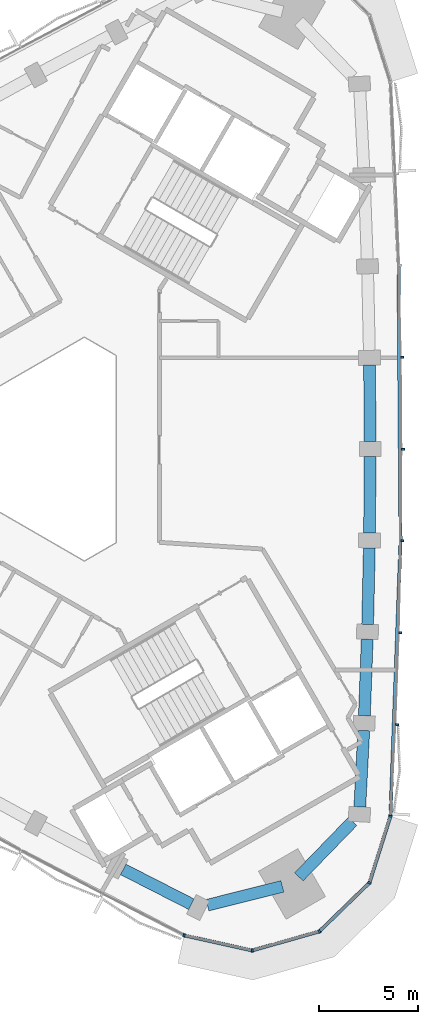
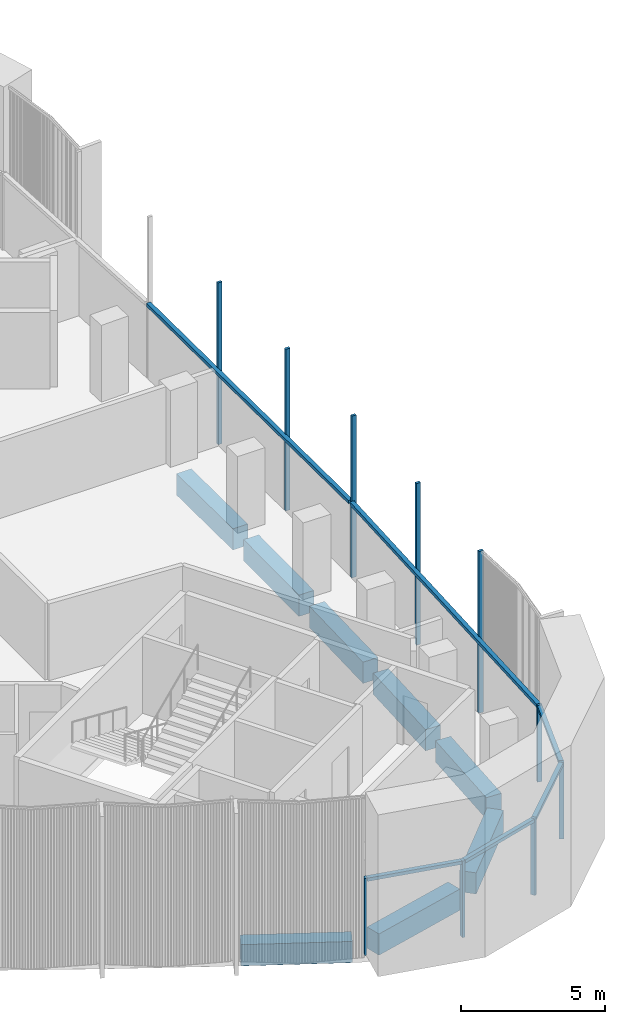
# One storey, part 4 of 14: 16 members, 8 beams, 2 elements without a shape of their own.
"""IFC4 building model written with IfcOpenShell, lengths in metres."""

from ifc_helpers import new_model, si_unit, direction, frame, origin, origin_2d, place, context, subcontext, project, spatial, rectangle, extrude, material, material_profile, profile_set, type_object, element, aggregate, save


model = new_model("IFC4")

# Units and contexts
model_context = context("Model", 3, precision=1e-05, world=origin(), true_north=direction((0.0, 1.0)))
body_context = subcontext(model_context, "Body", "Model", "MODEL_VIEW")
ifc_project = project(units=[si_unit("LENGTHUNIT", "METRE"), si_unit("AREAUNIT", "SQUARE_METRE"), si_unit("VOLUMEUNIT", "CUBIC_METRE"), si_unit("PLANEANGLEUNIT", "RADIAN"), si_unit("MASSUNIT", "GRAM", prefix="KILO")], contexts=[model_context])

# Site, building, storey
site_placement = place(None, origin())
site = spatial("IfcSite", under=ifc_project, at=site_placement, CompositionType="ELEMENT")
building_placement = place(site_placement, origin())
building = spatial("IfcBuilding", under=site, at=building_placement, Name="Tamra Quay Hotel Tower", CompositionType="ELEMENT")
storey_placement = place(building_placement, frame((0.0, 0.0, 221.39990234375)))
storey = spatial("IfcBuildingStorey", under=building, at=storey_placement, Name="L55", CompositionType="ELEMENT", Elevation=221.39990234375)

# Curtain wall, members
ifc_material_1 = material(Name="Aluminium 6063 anodised dark grey", Category="aluminium")
curtain_wall_type_1 = type_object("IfcCurtainWallType", Name="CW1 CURTAIN WALL", PredefinedType="NOTDEFINED", material=ifc_material_1)
curtain_wall_1_placement = place(storey_placement, origin())
curtain_wall_1 = element("IfcCurtainWall", 1, at=curtain_wall_1_placement, inside=storey, type_object=curtain_wall_type_1, Name="CW1 east face L55", PredefinedType="NOTDEFINED")
ifc_material_profile_1 = material_profile(ifc_material_1, rectangle(XDim=0.169921875, YDim=0.10009765625, at=origin_2d()), Name="MULLION 100X170")
ifc_profile_set_1 = profile_set([ifc_material_profile_1], Name="Aluminium 6063 anodised dark grey")
member_type_1 = type_object("IfcMemberType", Name="MULLION CW1 Z5", PredefinedType="MULLION", material=ifc_profile_set_1)
member_1_placement = place(storey_placement, frame((17.69677734375, -18.5830078125, 0.0), z_axis=(0.0, 0.0, 1.0), x_axis=(0.984105321789, -0.177585797933, 0.0)))
member_1 = element("IfcMember", 2, at=member_1_placement, type_object=member_type_1, Name="CW1 mullion L55.E.1", PredefinedType="MULLION", context=body_context, shape_type="SweptSolid", body=[
    extrude(rectangle(XDim=0.169921875, YDim=0.10009765625, at=origin_2d()), origin(), (0.0, 0.0, 1.0), 3.25),
])
member_2_placement = place(storey_placement, frame((18.020751953125, -13.944580078125, 0.0), z_axis=(0.0, 0.0, 1.0), x_axis=(0.999028216264, -0.044075198344, 0.0)))
member_2 = element("IfcMember", 3, at=member_2_placement, type_object=member_type_1, Name="CW1 mullion L55.E.2", PredefinedType="MULLION", context=body_context, shape_type="SweptSolid", body=[
    extrude(rectangle(XDim=0.169921875, YDim=0.10009765625, at=origin_2d()), origin(), (0.0, 0.0, 1.0), 6.85009765625),
])
member_3_placement = place(storey_placement, frame((18.191650390625, -9.2978515625, 0.0), z_axis=(0.0, 0.0, 1.0), x_axis=(0.999567592353, -0.029404562872, 0.0)))
member_3 = element("IfcMember", 4, at=member_3_placement, type_object=member_type_1, Name="CW1 mullion L55.E.3", PredefinedType="MULLION", context=body_context, shape_type="SweptSolid", body=[
    extrude(rectangle(XDim=0.169921875, YDim=0.10009765625, at=origin_2d()), origin(), (0.0, 0.0, 1.0), 6.85009765625),
])
member_4_placement = place(storey_placement, frame((18.294189453125, -4.64990234375, 0.0), z_axis=(0.0, 0.0, 1.0), x_axis=(0.999891761693, -0.014712746134, 0.0)))
member_4 = element("IfcMember", 5, at=member_4_placement, type_object=member_type_1, Name="CW1 mullion L55.E.4", PredefinedType="MULLION", context=body_context, shape_type="SweptSolid", body=[
    extrude(rectangle(XDim=0.169921875, YDim=0.10009765625, at=origin_2d()), origin(), (0.0, 0.0, 1.0), 6.85009765625),
])
member_5_placement = place(storey_placement, frame((18.328369140625, 0.0, 0.0), z_axis=(0.0, 0.0, 1.0), x_axis=(1.0, 0.0, 0.0)))
member_5 = element("IfcMember", 6, at=member_5_placement, type_object=member_type_1, Name="CW1 mullion L55.E.5", PredefinedType="MULLION", context=body_context, shape_type="SweptSolid", body=[
    extrude(rectangle(XDim=0.169921875, YDim=0.10009765625, at=origin_2d()), origin(), (0.0, 0.0, 1.0), 6.85009765625),
])
member_6_placement = place(storey_placement, frame((18.294189453125, 4.64990234375, 0.0), z_axis=(0.0, 0.0, 1.0), x_axis=(0.999891761693, 0.014712746134, 0.0)))
member_6 = element("IfcMember", 7, at=member_6_placement, type_object=member_type_1, Name="CW1 mullion L55.E.6", PredefinedType="MULLION", context=body_context, shape_type="SweptSolid", body=[
    extrude(rectangle(XDim=0.169921875, YDim=0.10009765625, at=origin_2d()), origin(), (0.0, 0.0, 1.0), 6.85009765625),
])

curtain_wall_type_2 = type_object("IfcCurtainWallType", Name="CW3 CURTAIN WALL", PredefinedType="NOTDEFINED", material=ifc_material_1)
curtain_wall_2_placement = place(storey_placement, origin())
curtain_wall_2 = element("IfcCurtainWall", 8, at=curtain_wall_2_placement, inside=storey, type_object=curtain_wall_type_2, Name="CW3 south-west face L55", PredefinedType="NOTDEFINED")
ifc_material_profile_2 = material_profile(ifc_material_1, rectangle(XDim=0.169921875, YDim=0.10009765625, at=origin_2d()), Name="MULLION 100X170")
ifc_profile_set_2 = profile_set([ifc_material_profile_2], Name="Aluminium 6063 anodised dark grey")
member_type_2 = type_object("IfcMemberType", Name="MULLION CW3 Z5", PredefinedType="MULLION", material=ifc_profile_set_2)
member_7_placement = place(storey_placement, frame((7.244873046875, -24.617431640625, 0.0), z_axis=(0.0, 0.0, 1.0), x_axis=(-0.338258848533, -0.941053107635, 0.0)))
member_7 = element("IfcMember", 9, at=member_7_placement, type_object=member_type_2, Name="CW3 mullion L55.SW.9", PredefinedType="MULLION", context=body_context, shape_type="SweptSolid", body=[
    extrude(rectangle(XDim=0.169921875, YDim=0.10009765625, at=origin_2d()), origin(), (0.0, 0.0, 1.0), 3.25),
])
member_8_placement = place(storey_placement, frame((10.6962890625, -25.3818359375, 0.0), z_axis=(0.0, 0.0, 1.0), x_axis=(0.029222506575, -0.999572931361, 0.0)))
member_8 = element("IfcMember", 10, at=member_8_placement, type_object=member_type_2, Name="CW3 mullion L55.SW.10", PredefinedType="MULLION", context=body_context, shape_type="SweptSolid", body=[
    extrude(rectangle(XDim=0.169921875, YDim=0.10009765625, at=origin_2d()), origin(), (0.0, 0.0, 1.0), 3.25),
])
member_9_placement = place(storey_placement, frame((14.09716796875, -24.4169921875, 0.0), z_axis=(0.0, 0.0, 1.0), x_axis=(0.5, -0.866025403784, 0.0)))
member_9 = element("IfcMember", 11, at=member_9_placement, type_object=member_type_2, Name="CW3 mullion L55.SW.11", PredefinedType="MULLION", context=body_context, shape_type="SweptSolid", body=[
    extrude(rectangle(XDim=0.169921875, YDim=0.10009765625, at=origin_2d()), origin(), (0.0, 0.0, 1.0), 3.25),
])
member_10_placement = place(storey_placement, frame((16.633056640625, -21.9541015625, 0.0), z_axis=(0.0, 0.0, 1.0), x_axis=(0.851044298206, -0.525093898736, 0.0)))
member_10 = element("IfcMember", 12, at=member_10_placement, type_object=member_type_2, Name="CW3 mullion L55.SW.12", PredefinedType="MULLION", context=body_context, shape_type="SweptSolid", body=[
    extrude(rectangle(XDim=0.169921875, YDim=0.10009765625, at=origin_2d()), origin(), (0.0, 0.0, 1.0), 3.25),
])

# Beams
ifc_material_2 = material(Name="Concrete M60", Category="concrete")
ifc_material_profile_3 = material_profile(ifc_material_2, rectangle(XDim=0.60009765625, YDim=0.89990234375, at=origin_2d()), Name="SPANDREL BEAM RC 600x900")
ifc_profile_set_3 = profile_set([ifc_material_profile_3], Name="Concrete M60")
beam_type = type_object("IfcBeamType", Name="SPANDREL BEAM RC 600x900", PredefinedType="SPANDREL", material=ifc_profile_set_3)
beam_1_placement = place(storey_placement, frame((16.144775390625, -18.116455078125, -0.7998046875), z_axis=(0.051404854824, 0.998677896471, 0.0), x_axis=(-0.998677896471, 0.051404854824, 0.0)))
element("IfcBeam", 13, at=beam_1_placement, inside=storey, type_object=beam_type, Name="BM-SP5-000-L55", PredefinedType="SPANDREL", context=body_context, shape_type="SweptSolid", body=[
    extrude(rectangle(XDim=0.60009765625, YDim=0.89990234375, at=origin_2d()), origin(), (0.0, 0.0, 1.0), 3.87548828125),
])
beam_2_placement = place(storey_placement, frame((16.377197265625, -13.496826171875, -0.7998046875), z_axis=(0.036732019634, 0.999325151657, 0.0), x_axis=(-0.999325151657, 0.036732019634, 0.0)))
element("IfcBeam", 14, at=beam_2_placement, inside=storey, type_object=beam_type, Name="BM-SP5-001-L55", PredefinedType="SPANDREL", context=body_context, shape_type="SweptSolid", body=[
    extrude(rectangle(XDim=0.60009765625, YDim=0.89990234375, at=origin_2d()), origin(), (0.0, 0.0, 1.0), 3.875),
])
beam_3_placement = place(storey_placement, frame((16.54150390625, -8.874755859375, -0.7998046875), z_axis=(0.022047440235, 0.999756925647, 0.0), x_axis=(-0.999756925647, 0.022047440235, 0.0)))
element("IfcBeam", 15, at=beam_3_placement, inside=storey, type_object=beam_type, Name="BM-SP5-002-L55", PredefinedType="SPANDREL", context=body_context, shape_type="SweptSolid", body=[
    extrude(rectangle(XDim=0.60009765625, YDim=0.89990234375, at=origin_2d()), origin(), (0.0, 0.0, 1.0), 3.875732421875),
])
for number, where, z_axis, x_axis, name in (
    (16, (16.63818359375, -4.25, -0.7998046875), (0.007308272564, 0.999973294219, 0.0), (-0.999973294219, 0.007308272564, 0.0), "BM-SP5-003-L55"),
    (17, (16.66650390625, 0.375, -0.7998046875), (-0.007308272564, 0.999973294219, 0.0), (-0.999973294219, -0.007308272564, 0.0), "BM-SP5-004-L55"),
):
    element("IfcBeam", number, at=place(storey_placement, frame(where, z_axis=z_axis, x_axis=x_axis)), inside=storey, type_object=beam_type, Name=name, PredefinedType="SPANDREL", context=body_context, shape_type="SweptSolid", body=[
        extrude(rectangle(XDim=0.60009765625, YDim=0.89990234375, at=origin_2d()), origin(), (0.0, 0.0, 1.0), 3.875),
    ])
beam_4_placement = place(storey_placement, frame((4.16552734375, -21.277587890625, -0.7998046875), z_axis=(0.890602550436, -0.454782472349, 0.0), x_axis=(0.454782472349, 0.890602550436, 0.0)))
element("IfcBeam", 18, at=beam_4_placement, inside=storey, type_object=beam_type, Name="BM-SP5-027-L55", PredefinedType="SPANDREL", context=body_context, shape_type="SweptSolid", body=[
    extrude(rectangle(XDim=0.60009765625, YDim=0.89990234375, at=origin_2d()), origin(), (0.0, 0.0, 1.0), 3.87548828125),
])
beam_5_placement = place(storey_placement, frame((8.430908203125, -23.090087890625, -0.7998046875), z_axis=(0.969848171666, 0.243709917558, 0.0), x_axis=(-0.243709917558, 0.969848171666, 0.0)))
element("IfcBeam", 19, at=beam_5_placement, inside=storey, type_object=beam_type, Name="BM-SP5-028-L55", PredefinedType="SPANDREL", context=body_context, shape_type="SweptSolid", body=[
    extrude(rectangle(XDim=0.60009765625, YDim=0.89990234375, at=origin_2d()), origin(), (0.0, 0.0, 1.0), 3.912841796875),
])
beam_6_placement = place(storey_placement, frame((13.05810546875, -21.656005859375, -0.7998046875), z_axis=(0.69594408001, 0.718095980701, 0.0), x_axis=(-0.718095980701, 0.69594408001, 0.0)))
element("IfcBeam", 20, at=beam_6_placement, inside=storey, type_object=beam_type, Name="BM-SP5-029-L55", PredefinedType="SPANDREL", context=body_context, shape_type="SweptSolid", body=[
    extrude(rectangle(XDim=0.60009765625, YDim=0.89990234375, at=origin_2d()), origin(), (0.0, 0.0, 1.0), 3.91259765625),
])

# Member
ifc_material_profile_4 = material_profile(ifc_material_1, rectangle(XDim=0.169921875, YDim=0.139892578125, at=origin_2d()), Name="TRANSOM 170X140")
ifc_profile_set_4 = profile_set([ifc_material_profile_4], Name="Aluminium 6063 anodised dark grey")
member_type_3 = type_object("IfcMemberType", Name="TRANSOM CW1 Z5", PredefinedType="USERDEFINED", material=ifc_profile_set_4)
member_11_placement = place(storey_placement, frame((17.699462890625, -18.532958984375, 3.18017578125), z_axis=(0.03673444579, 0.999325062476, 0.0), x_axis=(-0.999325062476, 0.03673444579, 0.0)))
member_11 = element("IfcMember", 21, at=member_11_placement, type_object=member_type_3, Name="CW1 transom L55.E.1", ObjectType="TRANSOM", PredefinedType="USERDEFINED", context=body_context, shape_type="SweptSolid", body=[
    extrude(rectangle(XDim=0.169921875, YDim=0.139892578125, at=origin_2d()), origin(), (0.0, 0.0, 1.0), 13.84375),
])

member_12_placement = place(storey_placement, frame((18.20947265625, -4.5986328125, 3.18017578125), z_axis=(-0.00735365003, 0.99997296155, 0.0), x_axis=(-0.99997296155, -0.00735365003, 0.0)))
member_12 = element("IfcMember", 22, at=member_12_placement, type_object=member_type_3, Name="CW1 transom L55.E.4", ObjectType="TRANSOM", PredefinedType="USERDEFINED", context=body_context, shape_type="SweptSolid", body=[
    extrude(rectangle(XDim=0.169921875, YDim=0.139892578125, at=origin_2d()), origin(), (0.0, 0.0, 1.0), 13.844482421875),
])

aggregate(curtain_wall_1, [member_1, member_11, member_2, member_3, member_4, member_12, member_5, member_6])

ifc_material_profile_5 = material_profile(ifc_material_1, rectangle(XDim=0.169921875, YDim=0.139892578125, at=origin_2d()), Name="TRANSOM 170X140")
ifc_profile_set_5 = profile_set([ifc_material_profile_5], Name="Aluminium 6063 anodised dark grey")
member_type_4 = type_object("IfcMemberType", Name="TRANSOM CW3 Z5", PredefinedType="USERDEFINED", material=ifc_profile_set_5)
member_13_placement = place(storey_placement, frame((7.293701171875, -24.628173828125, 3.18017578125), z_axis=(0.976332331622, -0.21627569958, 0.0), x_axis=(0.21627569958, 0.976332331622, 0.0)))
member_13 = element("IfcMember", 23, at=member_13_placement, type_object=member_type_4, Name="CW3 transom L55.SW.9", ObjectType="TRANSOM", PredefinedType="USERDEFINED", context=body_context, shape_type="SweptSolid", body=[
    extrude(rectangle(XDim=0.169921875, YDim=0.139892578125, at=origin_2d()), origin(), (0.0, 0.0, 1.0), 3.43505859375),
])

member_14_placement = place(storey_placement, frame((10.744384765625, -25.3681640625, 3.18017578125), z_axis=(0.962037198813, 0.272918354273, 0.0), x_axis=(-0.272918354273, 0.962037198813, 0.0)))
member_14 = element("IfcMember", 24, at=member_14_placement, type_object=member_type_4, Name="CW3 transom L55.SW.10", ObjectType="TRANSOM", PredefinedType="USERDEFINED", context=body_context, shape_type="SweptSolid", body=[
    extrude(rectangle(XDim=0.169921875, YDim=0.139892578125, at=origin_2d()), origin(), (0.0, 0.0, 1.0), 3.43505859375),
])

member_15_placement = place(storey_placement, frame((14.133056640625, -24.38232421875, 3.18017578125), z_axis=(0.717337227603, 0.696726131199, 0.0), x_axis=(-0.696726131199, 0.717337227603, 0.0)))
member_15 = element("IfcMember", 25, at=member_15_placement, type_object=member_type_4, Name="CW3 transom L55.SW.11", ObjectType="TRANSOM", PredefinedType="USERDEFINED", context=body_context, shape_type="SweptSolid", body=[
    extrude(rectangle(XDim=0.169921875, YDim=0.139892578125, at=origin_2d()), origin(), (0.0, 0.0, 1.0), 3.43505859375),
])

member_16_placement = place(storey_placement, frame((16.648193359375, -21.906494140625, 3.18017578125), z_axis=(0.30092047073, 0.953649238607, 0.0), x_axis=(-0.953649238607, 0.30092047073, 0.0)))
member_16 = element("IfcMember", 26, at=member_16_placement, type_object=member_type_4, Name="CW3 transom L55.SW.12", ObjectType="TRANSOM", PredefinedType="USERDEFINED", context=body_context, shape_type="SweptSolid", body=[
    extrude(rectangle(XDim=0.169921875, YDim=0.139892578125, at=origin_2d()), origin(), (0.0, 0.0, 1.0), 3.43505859375),
])

aggregate(curtain_wall_2, [member_7, member_13, member_8, member_14, member_9, member_15, member_10, member_16])

save(model, "model.ifc")
